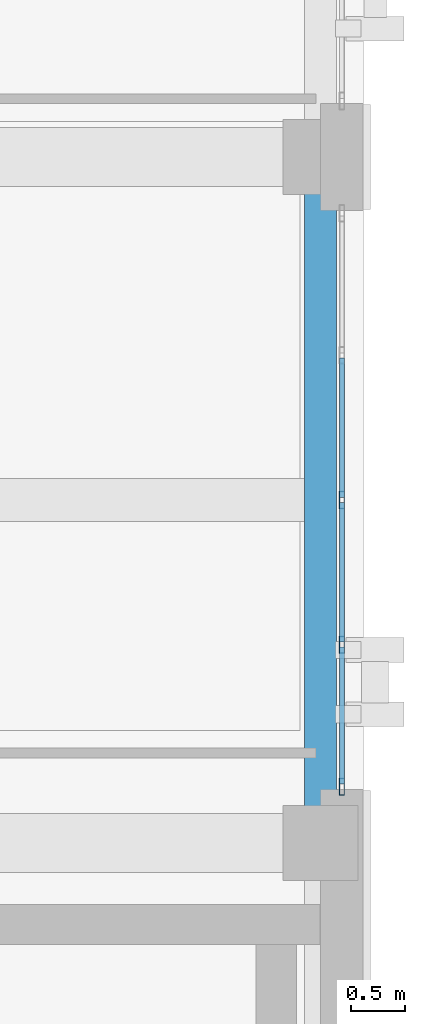
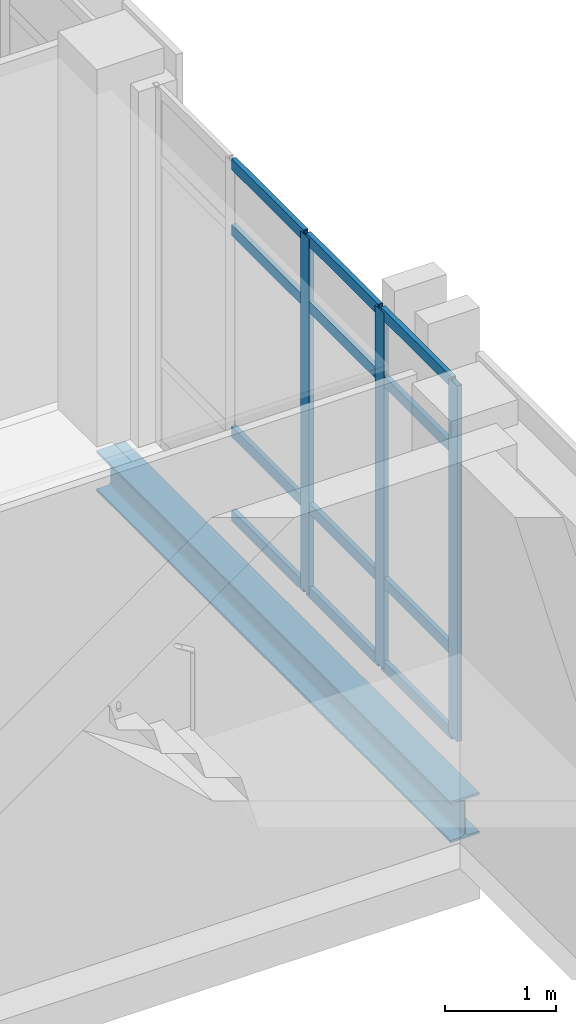
# One storey, part 104 of 158: 15 members, 1 beam, 1 element without a shape of its own.
"""IFC4 building model written with IfcOpenShell, lengths in metres."""

from ifc_helpers import new_model, si_unit, direction, frame, origin, origin_2d, place, context, subcontext, project, spatial, hollow_rectangle, i_section, extrude, material, layer, layer_set, material_profile, profile_set, type_object, element, aggregate, save


model = new_model("IFC4")

# Units and contexts
model_context = context("Model", 3, precision=1e-05, world=origin(), true_north=direction((0.0, 1.0)))
body_context = subcontext(model_context, "Body", "Model", "MODEL_VIEW")
ifc_project = project(units=[si_unit("LENGTHUNIT", "METRE"), si_unit("AREAUNIT", "SQUARE_METRE"), si_unit("VOLUMEUNIT", "CUBIC_METRE"), si_unit("PLANEANGLEUNIT", "RADIAN"), si_unit("MASSUNIT", "GRAM", prefix="KILO")], contexts=[model_context])

# Site, building, storey
site_placement = place(None, origin())
site = spatial("IfcSite", under=ifc_project, at=site_placement, CompositionType="ELEMENT")
building_placement = place(site_placement, origin())
building = spatial("IfcBuilding", under=site, at=building_placement, Name="Qalavern Law Courts", CompositionType="ELEMENT")
storey_placement = place(building_placement, frame((0.0, 0.0, 18.60009765625)))
storey = spatial("IfcBuildingStorey", under=building, at=storey_placement, Name="L04", CompositionType="ELEMENT", Elevation=18.60009765625)

# Curtain wall, members
ifc_material_1 = material(Name="Anodised aluminium and insulated glazing", Category="aluminium")
ifc_layer = layer(ifc_material_1, 0.159912109375)
ifc_layer_set = layer_set([ifc_layer], Name="Anodised aluminium and insulated glazing")
curtain_wall_type = type_object("IfcCurtainWallType", Name="ENV-CW-CHAMB", PredefinedType="USERDEFINED", material=ifc_layer_set)
curtain_wall_placement = place(storey_placement, origin())
curtain_wall = element("IfcCurtainWall", 1, at=curtain_wall_placement, inside=storey, type_object=curtain_wall_type, Name="V4 unitised curtain wall L04 east 4", ObjectType="UNITISED CURTAIN WALL", PredefinedType="USERDEFINED")
ifc_material_2 = material(Name="Anodised aluminium", Category="aluminium")
ifc_material_profile_1 = material_profile(ifc_material_2, hollow_rectangle(XDim=0.048095703125, YDim=0.159912109375, WallThickness=0.00390625, at=origin_2d()), Name="ALU MULLION 48x160")
ifc_profile_set_1 = profile_set([ifc_material_profile_1], Name="Anodised aluminium")
member_type_1 = type_object("IfcMemberType", Name="ENV-CWM-48x160", PredefinedType="MULLION", material=ifc_profile_set_1)
member_1_placement = place(storey_placement, frame((106.60009765625, 73.323974609375, 0.0), z_axis=(0.0, 0.0, 1.0), x_axis=(-1.0, 0.0, 0.0)))
member_1 = element("IfcMember", 2, at=member_1_placement, type_object=member_type_1, Name="CW-04 mullion 1", PredefinedType="MULLION", context=body_context, shape_type="SweptSolid", body=[
    extrude(hollow_rectangle(XDim=0.048095703125, YDim=0.159912109375, WallThickness=0.00390625, at=origin_2d()), origin(), (0.0, 0.0, 1.0), 3.9248046875),
])
member_2_placement = place(storey_placement, frame((106.60009765625, 74.64990234375, 0.0), z_axis=(0.0, 0.0, 1.0), x_axis=(-1.0, 0.0, 0.0)))
member_2 = element("IfcMember", 3, at=member_2_placement, type_object=member_type_1, Name="CW-04 mullion 2", PredefinedType="MULLION", context=body_context, shape_type="SweptSolid", body=[
    extrude(hollow_rectangle(XDim=0.048095703125, YDim=0.159912109375, WallThickness=0.00390625, at=origin_2d()), origin(), (0.0, 0.0, 1.0), 3.9248046875),
])
member_3_placement = place(storey_placement, frame((106.60009765625, 76.0, 0.0), z_axis=(0.0, 0.0, 1.0), x_axis=(-1.0, 0.0, 0.0)))
member_3 = element("IfcMember", 4, at=member_3_placement, type_object=member_type_1, Name="CW-04 mullion 3", PredefinedType="MULLION", context=body_context, shape_type="SweptSolid", body=[
    extrude(hollow_rectangle(XDim=0.048095703125, YDim=0.159912109375, WallThickness=0.00390625, at=origin_2d()), origin(), (0.0, 0.0, 1.0), 3.9248046875),
])
ifc_material_profile_2 = material_profile(ifc_material_2, hollow_rectangle(XDim=0.048095703125, YDim=0.1201171875, WallThickness=0.00390625, at=origin_2d()), Name="ALU TRANSOM 48x120")
ifc_profile_set_2 = profile_set([ifc_material_profile_2], Name="Anodised aluminium")
member_type_2 = type_object("IfcMemberType", Name="ENV-CWT-48x120", PredefinedType="USERDEFINED", material=ifc_profile_set_2)
member_4_placement = place(storey_placement, frame((106.60009765625, 73.347900390625, 0.02392578125), z_axis=(0.0, 1.0, 0.0), x_axis=(-1.0, 0.0, 0.0)))
member_4 = element("IfcMember", 5, at=member_4_placement, type_object=member_type_2, Name="CW-04 transom 1.1", ObjectType="TRANSOM", PredefinedType="USERDEFINED", context=body_context, shape_type="SweptSolid", body=[
    extrude(hollow_rectangle(XDim=0.048095703125, YDim=0.1201171875, WallThickness=0.00390625, at=origin_2d()), origin(), (0.0, 0.0, 1.0), 1.278076171875),
])
member_5_placement = place(storey_placement, frame((106.60009765625, 73.347900390625, 0.949951171875), z_axis=(0.0, 1.0, 0.0), x_axis=(-1.0, 0.0, 0.0)))
member_5 = element("IfcMember", 6, at=member_5_placement, type_object=member_type_2, Name="CW-04 transom 1.2", ObjectType="TRANSOM", PredefinedType="USERDEFINED", context=body_context, shape_type="SweptSolid", body=[
    extrude(hollow_rectangle(XDim=0.048095703125, YDim=0.1201171875, WallThickness=0.00390625, at=origin_2d()), origin(), (0.0, 0.0, 1.0), 1.278076171875),
])
member_6_placement = place(storey_placement, frame((106.60009765625, 73.347900390625, 3.1748046875), z_axis=(0.0, 1.0, 0.0), x_axis=(-1.0, 0.0, 0.0)))
member_6 = element("IfcMember", 7, at=member_6_placement, type_object=member_type_2, Name="CW-04 transom 1.3", ObjectType="TRANSOM", PredefinedType="USERDEFINED", context=body_context, shape_type="SweptSolid", body=[
    extrude(hollow_rectangle(XDim=0.048095703125, YDim=0.1201171875, WallThickness=0.00390625, at=origin_2d()), origin(), (0.0, 0.0, 1.0), 1.278076171875),
])
member_7_placement = place(storey_placement, frame((106.60009765625, 73.347900390625, 3.90087890625), z_axis=(0.0, 1.0, 0.0), x_axis=(-1.0, 0.0, 0.0)))
member_7 = element("IfcMember", 8, at=member_7_placement, type_object=member_type_2, Name="CW-04 transom 1.4", ObjectType="TRANSOM", PredefinedType="USERDEFINED", context=body_context, shape_type="SweptSolid", body=[
    extrude(hollow_rectangle(XDim=0.048095703125, YDim=0.1201171875, WallThickness=0.00390625, at=origin_2d()), origin(), (0.0, 0.0, 1.0), 1.278076171875),
])
member_8_placement = place(storey_placement, frame((106.60009765625, 74.674072265625, 0.02392578125), z_axis=(0.0, 1.0, 0.0), x_axis=(-1.0, 0.0, 0.0)))
member_8 = element("IfcMember", 9, at=member_8_placement, type_object=member_type_2, Name="CW-04 transom 2.1", ObjectType="TRANSOM", PredefinedType="USERDEFINED", context=body_context, shape_type="SweptSolid", body=[
    extrude(hollow_rectangle(XDim=0.048095703125, YDim=0.1201171875, WallThickness=0.00390625, at=origin_2d()), origin(), (0.0, 0.0, 1.0), 1.302001953125),
])
member_9_placement = place(storey_placement, frame((106.60009765625, 74.674072265625, 0.949951171875), z_axis=(0.0, 1.0, 0.0), x_axis=(-1.0, 0.0, 0.0)))
member_9 = element("IfcMember", 10, at=member_9_placement, type_object=member_type_2, Name="CW-04 transom 2.2", ObjectType="TRANSOM", PredefinedType="USERDEFINED", context=body_context, shape_type="SweptSolid", body=[
    extrude(hollow_rectangle(XDim=0.048095703125, YDim=0.1201171875, WallThickness=0.00390625, at=origin_2d()), origin(), (0.0, 0.0, 1.0), 1.302001953125),
])
member_10_placement = place(storey_placement, frame((106.60009765625, 74.674072265625, 3.1748046875), z_axis=(0.0, 1.0, 0.0), x_axis=(-1.0, 0.0, 0.0)))
member_10 = element("IfcMember", 11, at=member_10_placement, type_object=member_type_2, Name="CW-04 transom 2.3", ObjectType="TRANSOM", PredefinedType="USERDEFINED", context=body_context, shape_type="SweptSolid", body=[
    extrude(hollow_rectangle(XDim=0.048095703125, YDim=0.1201171875, WallThickness=0.00390625, at=origin_2d()), origin(), (0.0, 0.0, 1.0), 1.302001953125),
])
member_11_placement = place(storey_placement, frame((106.60009765625, 74.674072265625, 3.90087890625), z_axis=(0.0, 1.0, 0.0), x_axis=(-1.0, 0.0, 0.0)))
member_11 = element("IfcMember", 12, at=member_11_placement, type_object=member_type_2, Name="CW-04 transom 2.4", ObjectType="TRANSOM", PredefinedType="USERDEFINED", context=body_context, shape_type="SweptSolid", body=[
    extrude(hollow_rectangle(XDim=0.048095703125, YDim=0.1201171875, WallThickness=0.00390625, at=origin_2d()), origin(), (0.0, 0.0, 1.0), 1.302001953125),
])
member_12_placement = place(storey_placement, frame((106.60009765625, 76.02392578125, 0.02392578125), z_axis=(0.0, 1.0, 0.0), x_axis=(-1.0, 0.0, 0.0)))
member_12 = element("IfcMember", 13, at=member_12_placement, type_object=member_type_2, Name="CW-04 transom 3.1", ObjectType="TRANSOM", PredefinedType="USERDEFINED", context=body_context, shape_type="SweptSolid", body=[
    extrude(hollow_rectangle(XDim=0.048095703125, YDim=0.1201171875, WallThickness=0.00390625, at=origin_2d()), origin(), (0.0, 0.0, 1.0), 1.302001953125),
])
member_13_placement = place(storey_placement, frame((106.60009765625, 76.02392578125, 0.949951171875), z_axis=(0.0, 1.0, 0.0), x_axis=(-1.0, 0.0, 0.0)))
member_13 = element("IfcMember", 14, at=member_13_placement, type_object=member_type_2, Name="CW-04 transom 3.2", ObjectType="TRANSOM", PredefinedType="USERDEFINED", context=body_context, shape_type="SweptSolid", body=[
    extrude(hollow_rectangle(XDim=0.048095703125, YDim=0.1201171875, WallThickness=0.00390625, at=origin_2d()), origin(), (0.0, 0.0, 1.0), 1.302001953125),
])
member_14_placement = place(storey_placement, frame((106.60009765625, 76.02392578125, 3.1748046875), z_axis=(0.0, 1.0, 0.0), x_axis=(-1.0, 0.0, 0.0)))
member_14 = element("IfcMember", 15, at=member_14_placement, type_object=member_type_2, Name="CW-04 transom 3.3", ObjectType="TRANSOM", PredefinedType="USERDEFINED", context=body_context, shape_type="SweptSolid", body=[
    extrude(hollow_rectangle(XDim=0.048095703125, YDim=0.1201171875, WallThickness=0.00390625, at=origin_2d()), origin(), (0.0, 0.0, 1.0), 1.302001953125),
])
member_15_placement = place(storey_placement, frame((106.60009765625, 76.02392578125, 3.90087890625), z_axis=(0.0, 1.0, 0.0), x_axis=(-1.0, 0.0, 0.0)))
member_15 = element("IfcMember", 16, at=member_15_placement, type_object=member_type_2, Name="CW-04 transom 3.4", ObjectType="TRANSOM", PredefinedType="USERDEFINED", context=body_context, shape_type="SweptSolid", body=[
    extrude(hollow_rectangle(XDim=0.048095703125, YDim=0.1201171875, WallThickness=0.00390625, at=origin_2d()), origin(), (0.0, 0.0, 1.0), 1.302001953125),
])
aggregate(curtain_wall, [member_1, member_2, member_3, member_4, member_5, member_6, member_7, member_8, member_9, member_10, member_11, member_12, member_13, member_14, member_15])

# Beam
ifc_material_3 = material(Name="Steel S355", Category="steel")
ifc_material_profile_3 = material_profile(ifc_material_3, i_section(OverallWidth=0.300048828125, OverallDepth=0.449951171875, WebThickness=0.013916015625, FlangeThickness=0.02587890625, FilletRadius=0.027099609375, at=origin_2d()), Name="HEB 450")
ifc_profile_set_3 = profile_set([ifc_material_profile_3], Name="Steel S355")
beam_type = type_object("IfcBeamType", Name="STR-SP-HEB450", PredefinedType="SPANDREL", material=ifc_profile_set_3)
beam_placement = place(storey_placement, frame((106.39990234375, 72.800048828125, -0.505126953125), z_axis=(0.0, 1.0, 0.0), x_axis=(-1.0, 0.0, 0.0)))
element("IfcBeam", 17, at=beam_placement, inside=storey, type_object=beam_type, Name="V4 Y-beam 3-5 L04", PredefinedType="SPANDREL", context=body_context, shape_type="SweptSolid", body=[
    extrude(i_section(OverallWidth=0.300048828125, OverallDepth=0.449951171875, WebThickness=0.013916015625, FlangeThickness=0.02587890625, FilletRadius=0.027099609375, at=origin_2d()), origin(), (0.0, 0.0, 1.0), 6.39990234375),
])

save(model, "model.ifc")
